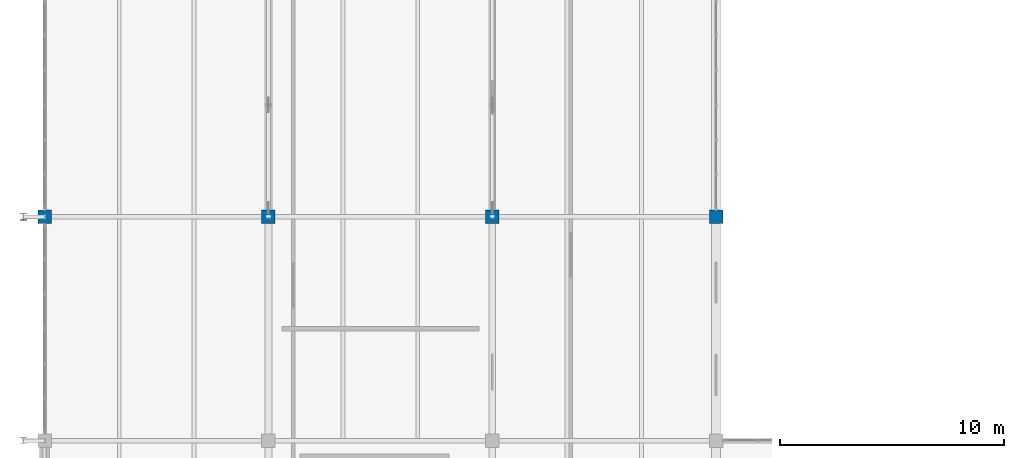
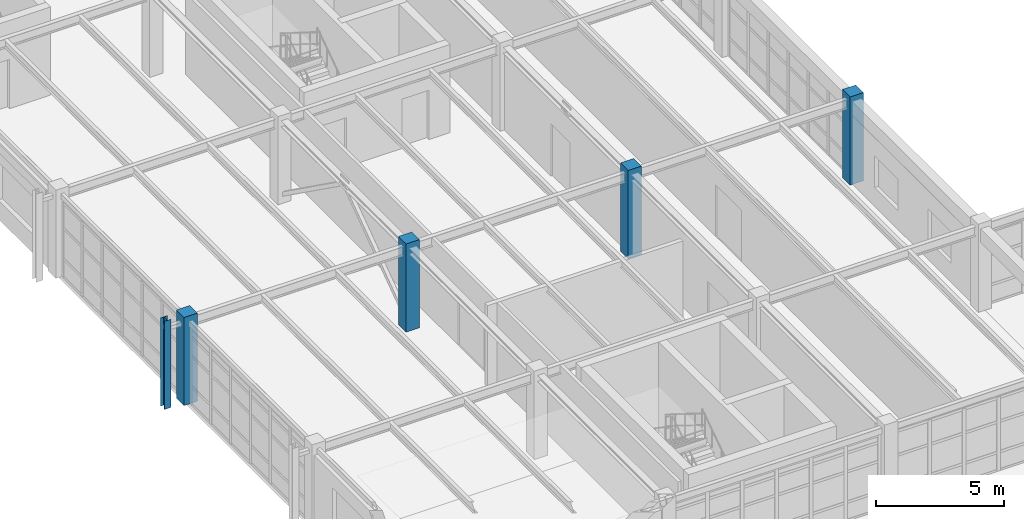
# One storey, part 2 of 122: 5 columns.
"""IFC4 building model written with IfcOpenShell, lengths in metres."""

from ifc_helpers import new_model, si_unit, direction, frame, origin, origin_2d, place, context, subcontext, project, spatial, rectangle, i_section, extrude, material, material_profile, profile_set, type_object, element, save


model = new_model("IFC4")

# Units and contexts
model_context = context("Model", 3, precision=1e-05, world=origin(), true_north=direction((0.0, 1.0)))
body_context = subcontext(model_context, "Body", "Model", "MODEL_VIEW")
ifc_project = project(units=[si_unit("LENGTHUNIT", "METRE"), si_unit("AREAUNIT", "SQUARE_METRE"), si_unit("VOLUMEUNIT", "CUBIC_METRE"), si_unit("PLANEANGLEUNIT", "RADIAN"), si_unit("MASSUNIT", "GRAM", prefix="KILO"), si_unit("THERMODYNAMICTEMPERATUREUNIT", "KELVIN"), si_unit("POWERUNIT", "WATT")], contexts=[model_context])

# Site, building, storey
site_placement = place(None, origin())
site = spatial("IfcSite", under=ifc_project, at=site_placement, CompositionType="ELEMENT")
building_placement = place(site_placement, origin())
building = spatial("IfcBuilding", under=site, at=building_placement, Name="Korenveer Ferry Terminal", CompositionType="ELEMENT")
storey_placement = place(building_placement, frame((0.0, 0.0, 10.199951171875)))
storey = spatial("IfcBuildingStorey", under=building, at=storey_placement, Name="L02", CompositionType="ELEMENT", Elevation=10.199951171875)

# Columns
ifc_material_1 = material(Name="Concrete C45/55", Category="concrete")
ifc_material_profile_1 = material_profile(ifc_material_1, rectangle(XDim=0.60009765625, YDim=0.60009765625, at=origin_2d()), Name="RC 600x600")
ifc_profile_set_1 = profile_set([ifc_material_profile_1], Name="Concrete C45/55")
column_type_1 = type_object("IfcColumnType", Name="STR-COL-RC600", PredefinedType="COLUMN", material=ifc_profile_set_1)
for number, where, z_axis, x_axis, name in (
    (1, (0.0, 40.0, 0.0), (0.0, 0.0, 1.0), (1.0, 0.0, 0.0), "Column COL-L02-X0-Y40"),
    (2, (10.0, 40.0, 0.0), (0.0, 0.0, 1.0), (1.0, 0.0, 0.0), "Column COL-L02-X10-Y40"),
    (3, (20.0, 40.0, 0.0), (0.0, 0.0, 1.0), (1.0, 0.0, 0.0), "Column COL-L02-X20-Y40"),
    (4, (30.0, 40.0, 0.0), (0.0, 0.0, 1.0), (1.0, 0.0, 0.0), "Column COL-L02-X30-Y40"),
):
    element("IfcColumn", number, at=place(storey_placement, frame(where, z_axis=z_axis, x_axis=x_axis)), inside=storey, type_object=column_type_1, Name=name, PredefinedType="COLUMN", context=body_context, shape_type="SweptSolid", body=[
        extrude(rectangle(XDim=0.60009765625, YDim=0.60009765625, at=origin_2d()), origin(), (0.0, 0.0, 1.0), 4.199951171875),
    ])
ifc_material_2 = material(Name="Steel S355", Category="steel")
ifc_material_profile_2 = material_profile(ifc_material_2, i_section(OverallWidth=0.300048828125, OverallDepth=0.2900390625, WebThickness=0.008544921875, FlangeThickness=0.013916015625, FilletRadius=0.027099609375, at=origin_2d()), Name="HEA 300")
ifc_profile_set_2 = profile_set([ifc_material_profile_2], Name="Steel S355")
column_type_2 = type_object("IfcColumnType", Name="STR-PIL-BRICK450", PredefinedType="PILASTER", material=ifc_profile_set_2)
column_placement = place(storey_placement, frame((-0.949951171875, 40.0, 0.0), z_axis=(0.0, 0.0, 1.0), x_axis=(1.0, 0.0, 0.0)))
element("IfcColumn", 5, at=column_placement, inside=storey, type_object=column_type_2, Name="Buttress pilaster 9", PredefinedType="PILASTER", context=body_context, shape_type="SweptSolid", body=[
    extrude(i_section(OverallWidth=0.300048828125, OverallDepth=0.2900390625, WebThickness=0.008544921875, FlangeThickness=0.013916015625, FilletRadius=0.027099609375, at=origin_2d()), origin(), (0.0, 0.0, 1.0), 4.199951171875),
])

save(model, "model.ifc")
